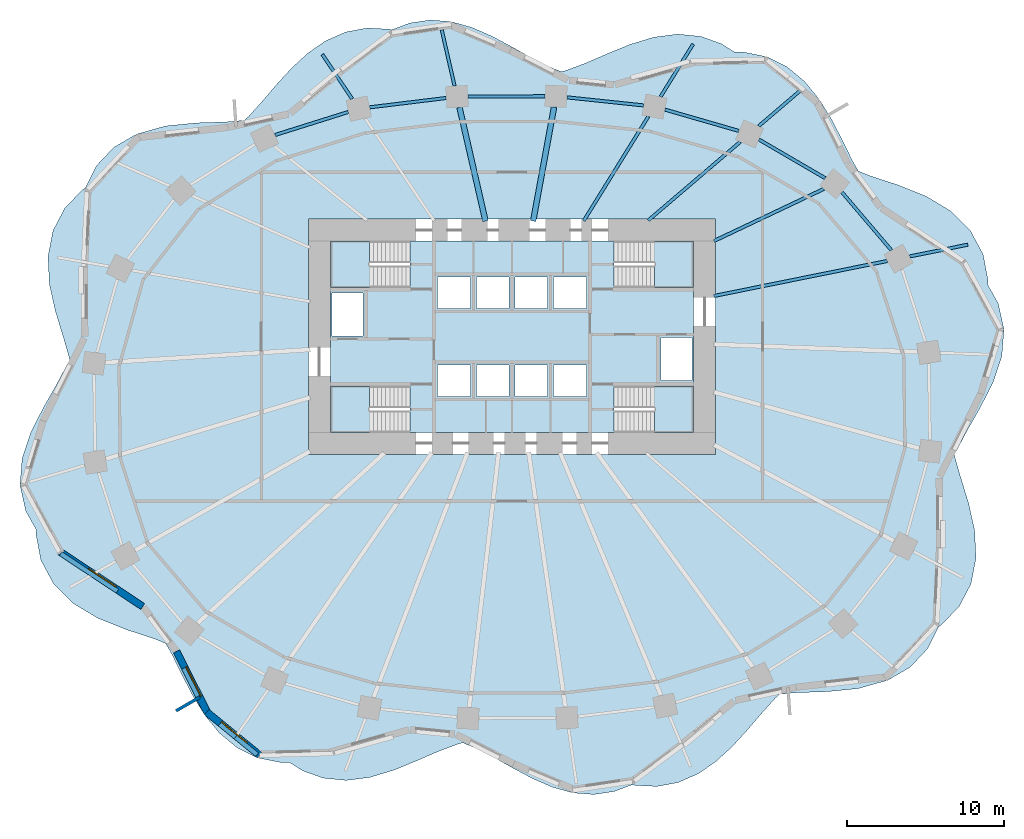
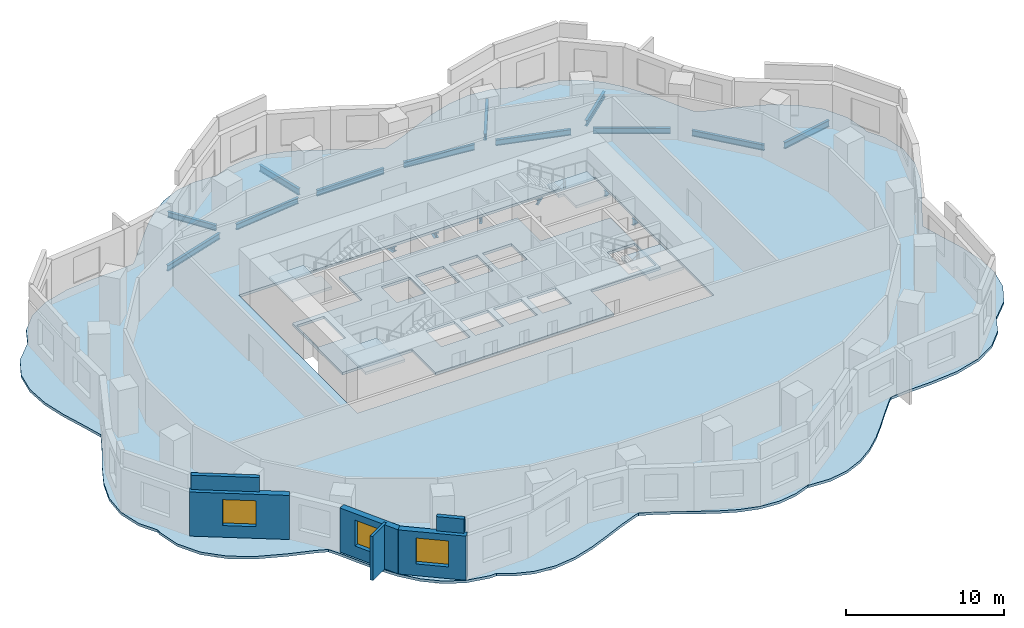
# One storey, part 2 of 8: 18 beams, 6 slabs, 6 walls, 3 windows, 3 openings, 4 elements without a shape of their own.
"""IFC4 building model written with IfcOpenShell, lengths in metres."""

from ifc_helpers import new_model, si_unit, direction, frame, frame_2d, origin, origin_2d, place, context, subcontext, project, spatial, polyline, rectangle, i_section, outline, extrude, material, layer, layer_set, material_profile, profile_set, type_object, element, fill, aggregate, save


model = new_model("IFC4")

# Units and contexts
model_context = context("Model", 3, precision=1e-05, world=origin(), true_north=direction((0.0, 1.0)))
body_context = subcontext(model_context, "Body", "Model", "MODEL_VIEW")
ifc_project = project(units=[si_unit("LENGTHUNIT", "METRE"), si_unit("AREAUNIT", "SQUARE_METRE"), si_unit("VOLUMEUNIT", "CUBIC_METRE"), si_unit("PLANEANGLEUNIT", "RADIAN"), si_unit("MASSUNIT", "GRAM", prefix="KILO")], contexts=[model_context])

# Site, building, storey
site_placement = place(None, origin())
site = spatial("IfcSite", under=ifc_project, at=site_placement, CompositionType="ELEMENT")
building_placement = place(site_placement, origin())
building = spatial("IfcBuilding", under=site, at=building_placement, Name="Rubra Terraces Tower", CompositionType="ELEMENT")
storey_placement = place(building_placement, frame((0.0, 0.0, 55.5)))
storey = spatial("IfcBuildingStorey", under=building, at=storey_placement, Name="L11", CompositionType="ELEMENT", Elevation=55.5)

# Beams
ifc_material_1 = material(Name="Steel Q355B", Category="steel")
ifc_material_profile_1 = material_profile(ifc_material_1, i_section(OverallWidth=0.198974609375, OverallDepth=0.446044921875, WebThickness=0.008056640625, FlangeThickness=0.011962890625, at=origin_2d()), Name="HN 446x199x8x12")
ifc_profile_set_1 = profile_set([ifc_material_profile_1], Name="Steel Q355B")
beam_type_1 = type_object("IfcBeamType", Name="CANTILEVER BEAM HN 446x199x8x12", PredefinedType="BEAM", material=ifc_profile_set_1)
beam_1_placement = place(storey_placement, frame((15.7509765625, 17.947998046875, -0.423095703125), z_axis=(0.76041784496, 0.649434139129, 0.0), x_axis=(-0.649434139129, 0.76041784496, 0.0)))
element("IfcBeam", 1, at=beam_1_placement, inside=storey, type_object=beam_type_1, Name="beam-L11-cant-04", PredefinedType="BEAM", context=body_context, shape_type="SweptSolid", body=[
    extrude(i_section(OverallWidth=0.198974609375, OverallDepth=0.446044921875, WebThickness=0.008056640625, FlangeThickness=0.011962890625, at=origin_2d()), origin(), (0.0, 0.0, 1.0), 3.468994140625),
])
beam_2_placement = place(storey_placement, frame((-10.199951171875, 19.68310546875, -0.423095703125), z_axis=(-0.557683416453, 0.830053737425, 0.0), x_axis=(-0.830053737425, -0.557683416453, 0.0)))
element("IfcBeam", 2, at=beam_2_placement, inside=storey, type_object=beam_type_1, Name="beam-L11-cant-08", PredefinedType="BEAM", context=body_context, shape_type="SweptSolid", body=[
    extrude(i_section(OverallWidth=0.198974609375, OverallDepth=0.446044921875, WebThickness=0.008056640625, FlangeThickness=0.011962890625, at=origin_2d()), origin(), (0.0, 0.0, 1.0), 3.414306640625),
])
ifc_material_profile_2 = material_profile(ifc_material_1, i_section(OverallWidth=0.198974609375, OverallDepth=0.49609375, WebThickness=0.009033203125, FlangeThickness=0.013916015625, at=origin_2d()), Name="HN 496x199x9x14")
ifc_profile_set_2 = profile_set([ifc_material_profile_2], Name="Steel Q355B")
beam_type_2 = type_object("IfcBeamType", Name="CANTILEVER BEAM HN 496x199x9x14", PredefinedType="BEAM", material=ifc_profile_set_2)
beam_3_placement = place(storey_placement, frame((25.39599609375, 9.6279296875, -0.447998046875), z_axis=(0.980177704415, 0.198120336582, 0.0), x_axis=(-0.198120336582, 0.980177704415, 0.0)))
element("IfcBeam", 3, at=beam_3_placement, inside=storey, type_object=beam_type_2, Name="beam-L11-cant-02", PredefinedType="BEAM", context=body_context, shape_type="SweptSolid", body=[
    extrude(i_section(OverallWidth=0.198974609375, OverallDepth=0.49609375, WebThickness=0.009033203125, FlangeThickness=0.013916015625, at=origin_2d()), origin(), (0.0, 0.0, 1.0), 3.770751953125),
])
beam_4_placement = place(storey_placement, frame((9.488037109375, 19.827880859375, -0.447998046875), z_axis=(0.526262905652, 0.850321912063, 0.0), x_axis=(-0.850321912063, 0.526262905652, 0.0)))
element("IfcBeam", 4, at=beam_4_placement, inside=storey, type_object=beam_type_2, Name="beam-L11-cant-05", PredefinedType="BEAM", context=body_context, shape_type="SweptSolid", body=[
    extrude(i_section(OverallWidth=0.198974609375, OverallDepth=0.49609375, WebThickness=0.009033203125, FlangeThickness=0.013916015625, at=origin_2d()), origin(), (0.0, 0.0, 1.0), 3.94091796875),
])
beam_5_placement = place(storey_placement, frame((-3.6669921875, 20.514892578125, -0.447998046875), z_axis=(-0.22319553445, 0.974773693429, 0.0), x_axis=(-0.974773693429, -0.22319553445, 0.0)))
element("IfcBeam", 5, at=beam_5_placement, inside=storey, type_object=beam_type_2, Name="beam-L11-cant-07", PredefinedType="BEAM", context=body_context, shape_type="SweptSolid", body=[
    extrude(i_section(OverallWidth=0.198974609375, OverallDepth=0.49609375, WebThickness=0.009033203125, FlangeThickness=0.013916015625, at=origin_2d()), origin(), (0.0, 0.0, 1.0), 3.66552734375),
])
ifc_material_profile_3 = material_profile(ifc_material_1, i_section(OverallWidth=0.199951171875, OverallDepth=0.39990234375, WebThickness=0.008056640625, FlangeThickness=0.012939453125, at=origin_2d()), Name="HN 400x200x8x13")
ifc_profile_set_3 = profile_set([ifc_material_profile_3], Name="Steel Q355B")
beam_type_3 = type_object("IfcBeamType", Name="FLOOR BEAM HN 400x200x8x13", PredefinedType="BEAM", material=ifc_profile_set_3)
beam_6_placement = place(storey_placement, frame((19.904052734375, 13.93603515625, -0.39990234375), z_axis=(-0.903612237836, -0.428351402045, 0.0), x_axis=(0.428351402045, -0.903612237836, 0.0)))
element("IfcBeam", 6, at=beam_6_placement, inside=storey, type_object=beam_type_3, Name="beam-L11-floor-03", PredefinedType="BEAM", context=body_context, shape_type="SweptSolid", body=[
    extrude(i_section(OverallWidth=0.199951171875, OverallDepth=0.39990234375, WebThickness=0.008056640625, FlangeThickness=0.012939453125, at=origin_2d()), origin(), (0.0, 0.0, 1.0), 7.760009765625),
])
beam_7_placement = place(storey_placement, frame((14.56298828125, 16.93408203125, -0.39990234375), z_axis=(-0.760494401061, -0.649344489431, 0.0), x_axis=(0.649344489431, -0.760494401061, 0.0)))
element("IfcBeam", 7, at=beam_7_placement, inside=storey, type_object=beam_type_3, Name="beam-L11-floor-04", PredefinedType="BEAM", context=body_context, shape_type="SweptSolid", body=[
    extrude(i_section(OverallWidth=0.199951171875, OverallDepth=0.39990234375, WebThickness=0.008056640625, FlangeThickness=0.012939453125, at=origin_2d()), origin(), (0.0, 0.0, 1.0), 7.718505859375),
])
beam_8_placement = place(storey_placement, frame((8.699951171875, 18.555908203125, -0.39990234375), z_axis=(-0.526285914839, -0.850307671283, 0.0), x_axis=(0.850307671283, -0.526285914839, 0.0)))
element("IfcBeam", 8, at=beam_8_placement, inside=storey, type_object=beam_type_3, Name="beam-L11-floor-05", PredefinedType="BEAM", context=body_context, shape_type="SweptSolid", body=[
    extrude(i_section(OverallWidth=0.199951171875, OverallDepth=0.39990234375, WebThickness=0.008056640625, FlangeThickness=0.012939453125, at=origin_2d()), origin(), (0.0, 0.0, 1.0), 7.830078125),
])
ifc_material_profile_4 = material_profile(ifc_material_1, i_section(OverallWidth=0.198974609375, OverallDepth=0.49609375, WebThickness=0.009033203125, FlangeThickness=0.013916015625, at=origin_2d()), Name="HN 496x199x9x14")
ifc_profile_set_4 = profile_set([ifc_material_profile_4], Name="Steel Q355B")
beam_type_4 = type_object("IfcBeamType", Name="FLOOR BEAM HN 496x199x9x14", PredefinedType="BEAM", material=ifc_profile_set_4)
beam_9_placement = place(storey_placement, frame((23.9560546875, 9.337890625, -0.447998046875), z_axis=(-0.980204035637, -0.197990021264, 0.0), x_axis=(0.197990021264, -0.980204035637, 0.0)))
element("IfcBeam", 9, at=beam_9_placement, inside=storey, type_object=beam_type_4, Name="beam-L11-floor-02", PredefinedType="BEAM", context=body_context, shape_type="SweptSolid", body=[
    extrude(i_section(OverallWidth=0.198974609375, OverallDepth=0.49609375, WebThickness=0.009033203125, FlangeThickness=0.013916015625, at=origin_2d()), origin(), (0.0, 0.0, 1.0), 11.297607421875),
])
ifc_material_profile_5 = material_profile(ifc_material_1, i_section(OverallWidth=0.35009765625, OverallDepth=0.35009765625, WebThickness=0.011962890625, FlangeThickness=0.01904296875, at=origin_2d()), Name="HW 350x350x12x19")
ifc_profile_set_5 = profile_set([ifc_material_profile_5], Name="Steel Q355B")
beam_type_5 = type_object("IfcBeamType", Name="FLOOR BEAM HW 350x350x12x19", PredefinedType="BEAM", material=ifc_profile_set_5)
beam_10_placement = place(storey_placement, frame((2.68408203125, 19.158935546875, -0.375), z_axis=(-0.180186319425, -0.983632497578, 0.0), x_axis=(0.983632497578, -0.180186319425, 0.0)))
element("IfcBeam", 10, at=beam_10_placement, inside=storey, type_object=beam_type_5, Name="beam-L11-floor-06", PredefinedType="BEAM", context=body_context, shape_type="SweptSolid", body=[
    extrude(i_section(OverallWidth=0.35009765625, OverallDepth=0.35009765625, WebThickness=0.011962890625, FlangeThickness=0.01904296875, at=origin_2d()), origin(), (0.0, 0.0, 1.0), 7.39794921875),
])
beam_11_placement = place(storey_placement, frame((-3.35107421875, 19.133056640625, -0.375), z_axis=(0.223209821828, -0.974770421914, 0.0), x_axis=(0.974770421914, 0.223209821828, 0.0)))
element("IfcBeam", 11, at=beam_11_placement, inside=storey, type_object=beam_type_5, Name="beam-L11-floor-07", PredefinedType="BEAM", context=body_context, shape_type="SweptSolid", body=[
    extrude(i_section(OverallWidth=0.35009765625, OverallDepth=0.35009765625, WebThickness=0.011962890625, FlangeThickness=0.01904296875, at=origin_2d()), origin(), (0.0, 0.0, 1.0), 7.437744140625),
])
ifc_material_profile_6 = material_profile(ifc_material_1, i_section(OverallWidth=0.198974609375, OverallDepth=0.446044921875, WebThickness=0.008056640625, FlangeThickness=0.011962890625, at=origin_2d()), Name="HN 446x199x8x12")
ifc_profile_set_6 = profile_set([ifc_material_profile_6], Name="Steel Q355B")
beam_type_6 = type_object("IfcBeamType", Name="SPANDREL BEAM HN 446x199x8x12", PredefinedType="SPANDREL", material=ifc_profile_set_6)
beam_12_placement = place(storey_placement, frame((24.212890625, 10.02587890625, -0.423095703125), z_axis=(-0.648447050824, 0.761259760054, 0.0), x_axis=(-0.761259760054, -0.648447050824, 0.0)))
element("IfcBeam", 12, at=beam_12_placement, inside=storey, type_object=beam_type_6, Name="beam-L11-spandrel-02", PredefinedType="SPANDREL", context=body_context, shape_type="SweptSolid", body=[
    extrude(i_section(OverallWidth=0.198974609375, OverallDepth=0.446044921875, WebThickness=0.008056640625, FlangeThickness=0.011962890625, at=origin_2d()), origin(), (0.0, 0.0, 1.0), 4.860595703125),
])
beam_13_placement = place(storey_placement, frame((19.987060546875, 14.6240234375, -0.423095703125), z_axis=(-0.863806081452, 0.503824427402, 0.0), x_axis=(-0.503824427402, -0.863806081452, 0.0)))
element("IfcBeam", 13, at=beam_13_placement, inside=storey, type_object=beam_type_6, Name="beam-L11-spandrel-03", PredefinedType="SPANDREL", context=body_context, shape_type="SweptSolid", body=[
    extrude(i_section(OverallWidth=0.198974609375, OverallDepth=0.446044921875, WebThickness=0.008056640625, FlangeThickness=0.011962890625, at=origin_2d()), origin(), (0.0, 0.0, 1.0), 4.886474609375),
])
beam_14_placement = place(storey_placement, frame((14.47900390625, 17.636962890625, -0.423095703125), z_axis=(-0.960743980202, 0.277436487337, 0.0), x_axis=(-0.277436487337, -0.960743980202, 0.0)))
element("IfcBeam", 14, at=beam_14_placement, inside=storey, type_object=beam_type_6, Name="beam-L11-spandrel-04", PredefinedType="SPANDREL", context=body_context, shape_type="SweptSolid", body=[
    extrude(i_section(OverallWidth=0.198974609375, OverallDepth=0.446044921875, WebThickness=0.008056640625, FlangeThickness=0.011962890625, at=origin_2d()), origin(), (0.0, 0.0, 1.0), 4.90234375),
])
beam_15_placement = place(storey_placement, frame((8.39501953125, 19.26611328125, -0.423095703125), z_axis=(-0.994495375694, 0.104780473964, 0.0), x_axis=(-0.104780473964, -0.994495375694, 0.0)))
element("IfcBeam", 15, at=beam_15_placement, inside=storey, type_object=beam_type_6, Name="beam-L11-spandrel-05", PredefinedType="SPANDREL", context=body_context, shape_type="SweptSolid", body=[
    extrude(i_section(OverallWidth=0.198974609375, OverallDepth=0.446044921875, WebThickness=0.008056640625, FlangeThickness=0.011962890625, at=origin_2d()), origin(), (0.0, 0.0, 1.0), 4.9140625),
])
beam_16_placement = place(storey_placement, frame((2.110107421875, 19.85107421875, -0.423095703125), z_axis=(-0.999987924698, -0.004914311469, 0.0), x_axis=(0.004914311469, -0.999987924698, 0.0)))
element("IfcBeam", 16, at=beam_16_placement, inside=storey, type_object=beam_type_6, Name="beam-L11-spandrel-06", PredefinedType="SPANDREL", context=body_context, shape_type="SweptSolid", body=[
    extrude(i_section(OverallWidth=0.198974609375, OverallDepth=0.446044921875, WebThickness=0.008056640625, FlangeThickness=0.011962890625, at=origin_2d()), origin(), (0.0, 0.0, 1.0), 4.918212890625),
])
beam_17_placement = place(storey_placement, frame((-4.205078125, 19.739013671875, -0.423095703125), z_axis=(-0.992616576014, -0.12129440639, 0.0), x_axis=(0.12129440639, -0.992616576014, 0.0)))
element("IfcBeam", 17, at=beam_17_placement, inside=storey, type_object=beam_type_6, Name="beam-L11-spandrel-07", PredefinedType="SPANDREL", context=body_context, shape_type="SweptSolid", body=[
    extrude(i_section(OverallWidth=0.198974609375, OverallDepth=0.446044921875, WebThickness=0.008056640625, FlangeThickness=0.011962890625, at=origin_2d()), origin(), (0.0, 0.0, 1.0), 4.913330078125),
])
beam_18_placement = place(storey_placement, frame((-10.450927734375, 18.846923828125, -0.423095703125), z_axis=(-0.953954624663, -0.299950952796, 0.0), x_axis=(0.299950952796, -0.953954624663, 0.0)))
element("IfcBeam", 18, at=beam_18_placement, inside=storey, type_object=beam_type_6, Name="beam-L11-spandrel-08", PredefinedType="SPANDREL", context=body_context, shape_type="SweptSolid", body=[
    extrude(i_section(OverallWidth=0.198974609375, OverallDepth=0.446044921875, WebThickness=0.008056640625, FlangeThickness=0.011962890625, at=origin_2d()), origin(), (0.0, 0.0, 1.0), 4.900634765625),
])

# Slab
ifc_material_2 = material(Name="Concrete C40", Category="concrete")
ifc_layer_1 = layer(ifc_material_2, 0.199951171875)
ifc_layer_set_1 = layer_set([ifc_layer_1], Name="Concrete C40")
slab_type_1 = type_object("IfcSlabType", Name="Core floor slab 200 concrete", PredefinedType="FLOOR", material=ifc_layer_set_1)
slab_1_placement = place(storey_placement, frame((0.0, 0.0, -0.199951171875)))
element("IfcSlab", 19, at=slab_1_placement, inside=storey, type_object=slab_type_1, Name="CORE FLOOR SLAB L11", PredefinedType="FLOOR", context=body_context, shape_type="SweptSolid", body=[
    extrude(outline(polyline([(-11.60009765625, 1.347900390625), (-11.60009765625, 7.652099609375), (-6.501953125, 7.652099609375), (-6.501953125, 10.60009765625), (6.501953125, 10.60009765625), (6.501953125, 7.652099609375), (11.60009765625, 7.652099609375), (11.60009765625, 1.347900390625), (6.501953125, 1.347900390625), (6.501953125, -1.60009765625), (-6.501953125, -1.60009765625), (-6.501953125, 1.347900390625), (-11.60009765625, 1.347900390625)]), holes=[polyline([(9.5, 1.699951171875), (11.5, 1.699951171875), (11.5, 4.449951171875), (9.5, 4.449951171875), (9.5, 1.699951171875)]), polyline([(4.75, 0.699951171875), (4.75, 2.699951171875), (2.64990234375, 2.699951171875), (2.64990234375, 0.699951171875), (4.75, 0.699951171875)]), polyline([(4.75, 6.300048828125), (4.75, 8.300048828125), (2.64990234375, 8.300048828125), (2.64990234375, 6.300048828125), (4.75, 6.300048828125)]), polyline([(2.25, 0.699951171875), (2.25, 2.699951171875), (0.199951171875, 2.699951171875), (0.199951171875, 0.699951171875), (2.25, 0.699951171875)]), polyline([(2.25, 6.300048828125), (2.25, 8.300048828125), (0.199951171875, 8.300048828125), (0.199951171875, 6.300048828125), (2.25, 6.300048828125)]), polyline([(-0.199951171875, 0.699951171875), (-0.199951171875, 2.699951171875), (-2.25, 2.699951171875), (-2.25, 0.699951171875), (-0.199951171875, 0.699951171875)]), polyline([(-0.199951171875, 6.300048828125), (-0.199951171875, 8.300048828125), (-2.25, 8.300048828125), (-2.25, 6.300048828125), (-0.199951171875, 6.300048828125)]), polyline([(-2.64990234375, 0.699951171875), (-2.64990234375, 2.699951171875), (-4.75, 2.699951171875), (-4.75, 0.699951171875), (-2.64990234375, 0.699951171875)]), polyline([(-2.64990234375, 8.300048828125), (-4.75, 8.300048828125), (-4.75, 6.300048828125), (-2.64990234375, 6.300048828125), (-2.64990234375, 8.300048828125)]), polyline([(-9.5, 7.300048828125), (-11.5, 7.300048828125), (-11.5, 4.550048828125), (-9.5, 4.550048828125), (-9.5, 7.300048828125)])]), origin(), (0.0, 0.0, 1.0), 0.199951171875),
])

# Stair, slab
stair_type = type_object("IfcStairType", Name="Core stair 1400", PredefinedType="HALF_TURN_STAIR", material=ifc_material_2)
stair_1_placement = place(storey_placement, origin())
stair_1 = element("IfcStair", 20, at=stair_1_placement, inside=storey, type_object=stair_type, Name="L11 Exit stair S1", PredefinedType="HALF_TURN_STAIR")
ifc_layer_2 = layer(ifc_material_2, 0.199951171875)
ifc_layer_set_2 = layer_set([ifc_layer_2], Name="Concrete C40")
slab_type_2 = type_object("IfcSlabType", Name="Core stair landing 200", PredefinedType="LANDING", material=ifc_layer_set_2)
slab_2_placement = place(storey_placement, frame((0.0, 0.0, 1.60009765625)))
slab_2 = element("IfcSlab", 21, at=slab_2_placement, type_object=slab_type_2, Name="S1 landing 1", PredefinedType="LANDING", context=body_context, shape_type="SweptSolid", body=[
    extrude(outline(polyline([(-8.719970703125, -0.199951171875), (-8.719970703125, -1.60009765625), (-9.10009765625, -1.60009765625), (-9.1201171875, -1.60009765625), (-11.60009765625, -1.60009765625), (-11.60009765625, 1.35009765625), (-9.1201171875, 1.35009765625), (-9.097900390625, 1.35009765625), (-9.097900390625, -0.050048828125), (-9.10009765625, -0.050048828125), (-9.10009765625, -0.199951171875), (-8.719970703125, -0.199951171875)])), origin(), (0.0, 0.0, 1.0), 0.199951171875),
])
aggregate(stair_1, [slab_2])

stair_2_placement = place(storey_placement, origin())
stair_2 = element("IfcStair", 22, at=stair_2_placement, inside=storey, type_object=stair_type, Name="L11 Exit stair S2", PredefinedType="HALF_TURN_STAIR")
slab_3_placement = place(storey_placement, frame((0.0, 0.0, 1.60009765625)))
slab_3 = element("IfcSlab", 23, at=slab_3_placement, type_object=slab_type_2, Name="S2 landing 1", PredefinedType="LANDING", context=body_context, shape_type="SweptSolid", body=[
    extrude(outline(polyline([(-8.719970703125, 9.050048828125), (-8.719970703125, 7.64990234375), (-9.1201171875, 7.64990234375), (-11.60009765625, 7.64990234375), (-11.60009765625, 10.60009765625), (-9.1201171875, 10.60009765625), (-9.10009765625, 10.60009765625), (-9.097900390625, 10.60009765625), (-9.097900390625, 9.199951171875), (-9.10009765625, 9.199951171875), (-9.10009765625, 9.050048828125), (-8.719970703125, 9.050048828125)])), origin(), (0.0, 0.0, 1.0), 0.199951171875),
])
aggregate(stair_2, [slab_3])

stair_3_placement = place(storey_placement, origin())
stair_3 = element("IfcStair", 24, at=stair_3_placement, inside=storey, type_object=stair_type, Name="L11 Exit stair S3", PredefinedType="HALF_TURN_STAIR")
slab_4_placement = place(storey_placement, frame((0.0, 0.0, 1.60009765625)))
slab_4 = element("IfcSlab", 25, at=slab_4_placement, type_object=slab_type_2, Name="S3 landing 1", PredefinedType="LANDING", context=body_context, shape_type="SweptSolid", body=[
    extrude(outline(polyline([(9.10009765625, 9.050048828125), (9.10009765625, 9.199951171875), (8.719970703125, 9.199951171875), (8.719970703125, 10.60009765625), (9.10009765625, 10.60009765625), (9.1201171875, 10.60009765625), (11.60009765625, 10.60009765625), (11.60009765625, 7.64990234375), (9.1201171875, 7.64990234375), (9.097900390625, 7.64990234375), (9.097900390625, 9.050048828125), (9.10009765625, 9.050048828125)])), origin(), (0.0, 0.0, 1.0), 0.199951171875),
])
aggregate(stair_3, [slab_4])

stair_4_placement = place(storey_placement, origin())
stair_4 = element("IfcStair", 26, at=stair_4_placement, inside=storey, type_object=stair_type, Name="L11 Exit stair S4", PredefinedType="HALF_TURN_STAIR")
slab_5_placement = place(storey_placement, frame((0.0, 0.0, 1.60009765625)))
slab_5 = element("IfcSlab", 27, at=slab_5_placement, type_object=slab_type_2, Name="S4 landing 1", PredefinedType="LANDING", context=body_context, shape_type="SweptSolid", body=[
    extrude(outline(polyline([(9.10009765625, -0.199951171875), (9.10009765625, -0.050048828125), (8.719970703125, -0.050048828125), (8.719970703125, 1.35009765625), (9.10009765625, 1.35009765625), (9.1201171875, 1.35009765625), (11.60009765625, 1.35009765625), (11.60009765625, -1.60009765625), (9.1201171875, -1.60009765625), (9.10009765625, -1.60009765625), (9.097900390625, -1.60009765625), (9.097900390625, -0.199951171875), (9.10009765625, -0.199951171875)])), origin(), (0.0, 0.0, 1.0), 0.199951171875),
])
aggregate(stair_4, [slab_5])

# Slab
ifc_layer_3 = layer(ifc_material_2, 0.199951171875)
ifc_layer_set_3 = layer_set([ifc_layer_3], Name="Concrete C40")
slab_type_3 = type_object("IfcSlabType", Name="FLOOR SLAB 200 COMPOSITE", PredefinedType="FLOOR", material=ifc_layer_set_3)
slab_6_placement = place(storey_placement, frame((0.0, 0.0, -0.199951171875)))
element("IfcSlab", 28, at=slab_6_placement, inside=storey, type_object=slab_type_3, Name="FLOOR SLAB L11", PredefinedType="FLOOR", context=body_context, shape_type="SweptSolid", body=[
    extrude(outline(polyline([(-3.403076171875, -21.48388671875), (-3.14111328125, -21.41796875), (-2.26904296875, -21.784912109375), (-1.14404296875, -22.364990234375), (0.0, -23.0), (1.279052734375, -23.68505859375), (2.580078125, -24.25390625), (3.89892578125, -24.618896484375), (5.22705078125, -24.718017578125), (6.5380859375, -24.52197265625), (7.81103515625, -24.041015625), (7.672119140625, -24.093994140625), (7.842041015625, -24.135986328125), (9.25, -24.2060546875), (10.616943359375, -23.952880859375), (11.9130859375, -23.3798828125), (13.02294921875, -22.610107421875), (14.048095703125, -21.669921875), (14.9951171875, -20.638916015625), (15.9150390625, -19.56396484375), (16.806884765625, -18.568115234375), (17.073974609375, -18.31689453125), (16.69091796875, -18.35009765625), (18.218017578125, -18.218017578125), (20.1201171875, -18.153076171875), (22.094970703125, -17.958984375), (23.986083984375, -17.427001953125), (25.419921875, -16.591064453125), (26.54296875, -15.39697265625), (27.243896484375, -13.998046875), (27.35205078125, -13.93603515625), (28.528076171875, -12.748046875), (29.297119140625, -11.279052734375), (29.617919921875, -9.6240234375), (29.532958984375, -7.875), (29.155029296875, -6.158935546875), (28.658935546875, -4.5390625), (28.23388671875, -3.052978515625), (28.258056640625, -2.991943359375), (29.027099609375, -1.5380859375), (29.89990234375, 0.0), (30.714111328125, 1.594970703125), (31.27001953125, 3.26611328125), (31.404052734375, 4.97412109375), (31.041015625, 6.618896484375), (30.361083984375, 7.8310546875), (30.383056640625, 8.1220703125), (30.070068359375, 9.77001953125), (29.2490234375, 11.2939453125), (27.989013671875, 12.535888671875), (26.43505859375, 13.468994140625), (24.587890625, 14.2041015625), (22.81201171875, 14.7890625), (22.10693359375, 15.076904296875), (21.7109375, 15.77392578125), (21.092041015625, 17.032958984375), (20.4169921875, 18.347900390625), (19.6298828125, 19.6298828125), (18.6689453125, 20.805908203125), (17.5400390625, 21.7451171875), (16.259033203125, 22.3779296875), (14.679931640625, 22.69189453125), (13.01708984375, 22.616943359375), (14.2060546875, 22.6708984375), (13.345947265625, 23.2119140625), (12.06103515625, 23.6708984375), (10.575927734375, 23.819091796875), (9.050048828125, 23.6201171875), (7.52392578125, 23.156005859375), (6.111083984375, 22.5791015625), (4.738037109375, 21.98388671875), (3.403076171875, 21.48388671875), (3.14111328125, 21.41796875), (2.26904296875, 21.784912109375), (1.14404296875, 22.364990234375), (0.0, 23.0), (-1.279052734375, 23.68505859375), (-2.580078125, 24.25390625), (-3.89892578125, 24.618896484375), (-5.22705078125, 24.718017578125), (-6.5380859375, 24.52197265625), (-7.81103515625, 24.041015625), (-7.672119140625, 24.093994140625), (-7.842041015625, 24.135986328125), (-9.25, 24.2060546875), (-10.616943359375, 23.952880859375), (-11.9130859375, 23.3798828125), (-13.02294921875, 22.610107421875), (-14.048095703125, 21.669921875), (-14.9951171875, 20.638916015625), (-15.9150390625, 19.56396484375), (-16.806884765625, 18.568115234375), (-17.073974609375, 18.31689453125), (-16.69091796875, 18.35009765625), (-18.218017578125, 18.218017578125), (-20.1201171875, 18.153076171875), (-22.094970703125, 17.958984375), (-23.986083984375, 17.427001953125), (-25.419921875, 16.591064453125), (-26.54296875, 15.39697265625), (-27.243896484375, 13.998046875), (-27.35205078125, 13.93603515625), (-28.528076171875, 12.748046875), (-29.297119140625, 11.279052734375), (-29.617919921875, 9.6240234375), (-29.532958984375, 7.875), (-29.155029296875, 6.158935546875), (-28.658935546875, 4.5390625), (-28.23388671875, 3.052978515625), (-28.258056640625, 2.991943359375), (-29.027099609375, 1.5380859375), (-29.89990234375, 0.0), (-30.714111328125, -1.594970703125), (-31.27001953125, -3.26611328125), (-31.404052734375, -4.97412109375), (-31.041015625, -6.618896484375), (-30.361083984375, -7.8310546875), (-30.383056640625, -8.1220703125), (-30.070068359375, -9.77001953125), (-29.2490234375, -11.2939453125), (-27.989013671875, -12.535888671875), (-26.43505859375, -13.468994140625), (-24.587890625, -14.2041015625), (-22.81201171875, -14.7890625), (-22.10693359375, -15.076904296875), (-21.7109375, -15.77392578125), (-21.092041015625, -17.032958984375), (-20.4169921875, -18.347900390625), (-19.6298828125, -19.6298828125), (-18.6689453125, -20.805908203125), (-17.5400390625, -21.7451171875), (-16.259033203125, -22.3779296875), (-14.679931640625, -22.69189453125), (-13.01708984375, -22.616943359375), (-14.2060546875, -22.6708984375), (-13.345947265625, -23.2119140625), (-12.06103515625, -23.6708984375), (-10.575927734375, -23.819091796875), (-9.050048828125, -23.6201171875), (-7.52392578125, -23.156005859375), (-6.111083984375, -22.5791015625), (-4.738037109375, -21.98388671875), (-3.403076171875, -21.48388671875)]), holes=[polyline([(13.0, 12.0), (13.0, -3.0), (-13.0, -3.0), (-13.0, 12.0), (13.0, 12.0)])]), origin(), (0.0, 0.0, 1.0), 0.199951171875),
])

# Wall, opening, window
ifc_material_3 = material(Name="Brick masonry red-brown", Category="masonry")
ifc_layer_4 = layer(ifc_material_3, 0.449951171875)
ifc_layer_set_4 = layer_set([ifc_layer_4], Name="Brick masonry red-brown")
wall_type_1 = type_object("IfcWallType", Name="Brick facade wall 450", PredefinedType="SOLIDWALL", material=ifc_layer_set_4)
wall_1_placement = place(storey_placement, frame((-28.85302734375, -9.227294921875, 0.0), z_axis=(0.0, 0.0, 1.0), x_axis=(0.834404370393, -0.551152743502, 0.0)))
wall_1 = element("IfcWall", 29, at=wall_1_placement, inside=storey, type_object=wall_type_1, Name="Facade wall L11 bay 23", PredefinedType="SOLIDWALL", context=body_context, shape_type="SweptSolid", body=[
    extrude(rectangle(XDim=6.329833984375, YDim=0.449951171875, at=frame_2d((3.1650390625, 0.0))), origin(), (0.0, 0.0, 1.0), 3.39990234375),
])
opening_1_placement = place(wall_1_placement, frame((2.114990234375, 0.0, 0.89990234375)))
opening_1 = element("IfcOpeningElement", 30, at=opening_1_placement, cuts=wall_1, Name="Opening W1", PredefinedType="OPENING", context=body_context, shape_type="SweptSolid", body=[
    extrude(rectangle(XDim=2.10009765625, YDim=2.0, at=frame_2d((1.050048828125, 1.0))), frame((0.0, 0.23486328125, 0.0), z_axis=(0.0, -1.0, 0.0), x_axis=(1.0, 0.0, 0.0)), (0.0, 0.0, 1.0), 0.469970703125),
])
ifc_material_4 = material(Name="Clear glass in aluminium frame", Category="aluminium")
window_type = type_object("IfcWindowType", Name="Fixed deep-set window 2100 x 2000", PartitioningType="SINGLE_PANEL", PredefinedType="WINDOW", material=ifc_material_4)
window_1_placement = place(opening_1_placement, origin())
window_1 = element("IfcWindow", 31, at=window_1_placement, inside=storey, type_object=window_type, Name="Window L11 bay 23", OverallHeight=2.0, OverallWidth=2.10009765625, PartitioningType="SINGLE_PANEL", PredefinedType="WINDOW", context=body_context, shape_type="SweptSolid", body=[
    extrude(rectangle(XDim=2.10009765625, YDim=2.0, at=frame_2d((1.050048828125, 1.0))), frame((0.0, 0.135009765625, 0.0), z_axis=(0.0, -1.0, 0.0), x_axis=(1.0, 0.0, 0.0)), (0.0, 0.0, 1.0), 0.06005859375),
])
fill(opening_1, window_1)

wall_2_placement = place(storey_placement, frame((-21.41259765625, -15.586181640625, 0.0), z_axis=(0.0, 0.0, 1.0), x_axis=(0.449428064685, -0.893316525467, 0.0)))
wall_2 = element("IfcWall", 32, at=wall_2_placement, inside=storey, type_object=wall_type_1, Name="Facade wall L11 bay 25", PredefinedType="SOLIDWALL", context=body_context, shape_type="SweptSolid", body=[
    extrude(rectangle(XDim=4.4072265625, YDim=0.449951171875, at=frame_2d((2.20361328125, 0.0))), origin(), (0.0, 0.0, 1.0), 3.39990234375),
])
opening_2_placement = place(wall_2_placement, frame((1.153564453125, 0.0, 0.89990234375)))
opening_2 = element("IfcOpeningElement", 33, at=opening_2_placement, cuts=wall_2, Name="Opening W1", PredefinedType="OPENING", context=body_context, shape_type="SweptSolid", body=[
    extrude(rectangle(XDim=2.10009765625, YDim=2.0, at=frame_2d((1.050048828125, 1.0))), frame((0.0, 0.23486328125, 0.0), z_axis=(0.0, -1.0, 0.0), x_axis=(1.0, 0.0, 0.0)), (0.0, 0.0, 1.0), 0.469970703125),
])
window_2_placement = place(opening_2_placement, origin())
window_2 = element("IfcWindow", 34, at=window_2_placement, inside=storey, type_object=window_type, Name="Window L11 bay 25", OverallHeight=2.0, OverallWidth=2.10009765625, PartitioningType="SINGLE_PANEL", PredefinedType="WINDOW", context=body_context, shape_type="SweptSolid", body=[
    extrude(rectangle(XDim=2.10009765625, YDim=2.0, at=frame_2d((1.050048828125, 1.0))), frame((0.0, 0.135009765625, 0.0), z_axis=(0.0, -1.0, 0.0), x_axis=(1.0, 0.0, 0.0)), (0.0, 0.0, 1.0), 0.06005859375),
])
fill(opening_2, window_2)

wall_3_placement = place(storey_placement, frame((-19.48779296875, -19.45556640625, 0.0), z_axis=(0.0, 0.0, 1.0), x_axis=(0.775096506427, -0.631842864741, 0.0)))
wall_3 = element("IfcWall", 35, at=wall_3_placement, inside=storey, type_object=wall_type_1, Name="Facade wall L11 bay 26", PredefinedType="SOLIDWALL", context=body_context, shape_type="SweptSolid", body=[
    extrude(rectangle(XDim=4.349365234375, YDim=0.449951171875, at=frame_2d((2.1748046875, 0.0))), origin(), (0.0, 0.0, 1.0), 3.39990234375),
])
opening_3_placement = place(wall_3_placement, frame((1.12451171875, 0.0, 0.89990234375)))
opening_3 = element("IfcOpeningElement", 36, at=opening_3_placement, cuts=wall_3, Name="Opening W1", PredefinedType="OPENING", context=body_context, shape_type="SweptSolid", body=[
    extrude(rectangle(XDim=2.10009765625, YDim=2.0, at=frame_2d((1.050048828125, 1.0))), frame((0.0, 0.23486328125, 0.0), z_axis=(0.0, -1.0, 0.0), x_axis=(1.0, 0.0, 0.0)), (0.0, 0.0, 1.0), 0.469970703125),
])
window_3_placement = place(opening_3_placement, origin())
window_3 = element("IfcWindow", 37, at=window_3_placement, inside=storey, type_object=window_type, Name="Window L11 bay 26", OverallHeight=2.0, OverallWidth=2.10009765625, PartitioningType="SINGLE_PANEL", PredefinedType="WINDOW", context=body_context, shape_type="SweptSolid", body=[
    extrude(rectangle(XDim=2.10009765625, YDim=2.0, at=frame_2d((1.050048828125, 1.0))), frame((0.0, 0.135009765625, 0.0), z_axis=(0.0, -1.0, 0.0), x_axis=(1.0, 0.0, 0.0)), (0.0, 0.0, 1.0), 0.06005859375),
])
fill(opening_3, window_3)

# Walls
ifc_layer_5 = layer(ifc_material_3, 0.300048828125)
ifc_layer_set_5 = layer_set([ifc_layer_5], Name="Brick masonry red-brown")
wall_type_2 = type_object("IfcWallType", Name="Brick parapet 300", PredefinedType="PARAPET", material=ifc_layer_set_5)
wall_4_placement = place(storey_placement, frame((-28.80712890625, -9.347412109375, 3.60009765625), z_axis=(0.0, 0.0, 1.0), x_axis=(0.834398186729, -0.551162104995, 0.0)))
element("IfcWall", 38, at=wall_4_placement, inside=storey, type_object=wall_type_2, Name="Parapet L11 bay 23", PredefinedType="PARAPET", context=body_context, shape_type="SweptSolid", body=[
    extrude(rectangle(XDim=4.33740234375, YDim=0.300048828125, at=frame_2d((2.168701171875, 0.0))), origin(), (0.0, 0.0, 1.0), 1.099853515625),
])
wall_5_placement = place(storey_placement, frame((-17.646728515625, -21.05322265625, 3.60009765625), z_axis=(0.0, 0.0, 1.0), x_axis=(0.775067490636, -0.631878457426, 0.0)))
element("IfcWall", 39, at=wall_5_placement, inside=storey, type_object=wall_type_2, Name="Parapet L11 bay 26", PredefinedType="PARAPET", context=body_context, shape_type="SweptSolid", body=[
    extrude(rectangle(XDim=1.771484375, YDim=0.300048828125, at=frame_2d((0.8857421875, 0.0))), origin(), (0.0, 0.0, 1.0), 1.099853515625),
])
ifc_layer_6 = layer(ifc_material_3, 0.199951171875)
ifc_layer_set_6 = layer_set([ifc_layer_6], Name="Brick masonry red-brown")
wall_type_3 = type_object("IfcWallType", Name="Brick wind fin 200", PredefinedType="SOLIDWALL", material=ifc_layer_set_6)
wall_6_placement = place(storey_placement, frame((-19.927978515625, -18.50390625, 0.0), z_axis=(0.0, 0.0, 1.0), x_axis=(-0.865881186914, -0.500249707794, 0.0)))
element("IfcWall", 40, at=wall_6_placement, inside=storey, type_object=wall_type_3, Name="Wind fin L11 15", PredefinedType="SOLIDWALL", context=body_context, shape_type="SweptSolid", body=[
    extrude(rectangle(XDim=1.75, YDim=0.199951171875, at=frame_2d((0.875, 0.0))), origin(), (0.0, 0.0, 1.0), 3.39990234375),
])

save(model, "model.ifc")
